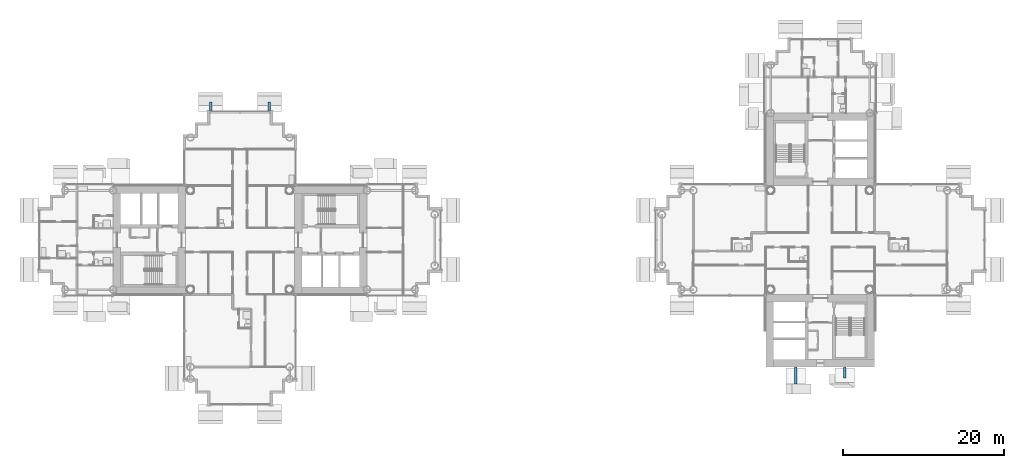
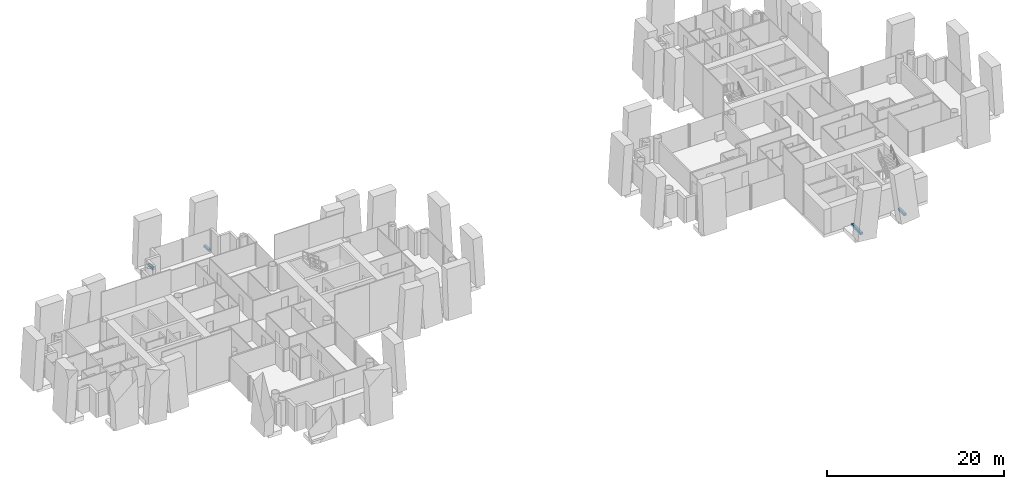
# One storey, part 14 of 21: 4 discrete accessories.
"""IFC4 building model written with IfcOpenShell, lengths in metres."""

import ifcopenshell
import ifcopenshell.guid

model = None  # the IFC model being written
_history = None  # IfcOwnerHistory: only IFC2X3 demands one
_inside = {}  # id of a spatial element -> (the spatial element, [elements in it])
_under = {}  # id of a project, library or spatial element -> (it, [spatial elements below it])
_declared = {}  # id of a project -> (the project, [libraries it declares])
_typed = {}  # id of a type object -> (the type object, [elements of that type])
_made_of = {}  # id of a material, layer set ... -> (it, [elements and type objects made of it])


def new_model(schema):
    """Start an empty IFC model of exactly this schema.

    Asked for "IFC4X3", IfcOpenShell would pick the latest addendum, in which some entities
    have other attributes; the version numbers below select the first issue.
    IFC2X3 requires an IfcOwnerHistory on every rooted entity: one is made here for all.
    """
    global model, _history
    if schema == "IFC4X3":
        model = ifcopenshell.file(schema_version=(4, 3, 0, 0))
    else:
        model = ifcopenshell.file(schema=schema)
    _inside.clear()
    _under.clear()
    _declared.clear()
    _typed.clear()
    _made_of.clear()
    _history = None
    if model.schema == "IFC2X3":
        org = make("IfcOrganization", Name="unknown")
        user = make(
            "IfcPersonAndOrganization",
            ThePerson=make("IfcPerson", FamilyName="unknown"),
            TheOrganization=org,
        )
        app = make(
            "IfcApplication",
            ApplicationDeveloper=org,
            Version="unknown",
            ApplicationFullName="unknown",
            ApplicationIdentifier="unknown",
        )
        _history = make(
            "IfcOwnerHistory",
            OwningUser=user,
            OwningApplication=app,
            ChangeAction="ADDED",
            CreationDate=0,
        )
    return model


def make(cls, **values):
    """One entity of the class cls with the attributes given. An attribute that is None is left unset."""
    return model.create_entity(
        cls, **{name: value for name, value in values.items() if value is not None}
    )


def rooted(cls, **values):
    """An entity with a GlobalId (a new one), such as an element, a storey or a relation."""
    return make(cls, GlobalId=ifcopenshell.guid.new(), OwnerHistory=_history, **values)


def si_unit(unit_type, name, prefix=None):
    """IfcSIUnit, for example si_unit("LENGTHUNIT", "METRE", prefix="MILLI")."""
    return make("IfcSIUnit", UnitType=unit_type, Prefix=prefix, Name=name)


def assignment(units):
    """IfcUnitAssignment: the units of a project."""
    return None if units is None else make("IfcUnitAssignment", Units=units)


def point(xyz):
    """IfcCartesianPoint."""
    return None if xyz is None else make("IfcCartesianPoint", Coordinates=xyz)


def direction(xyz):
    """IfcDirection."""
    return None if xyz is None else make("IfcDirection", DirectionRatios=xyz)


def frame(location, z_axis=None, x_axis=None):
    """IfcAxis2Placement3D, a coordinate frame: its origin and axes. An axis left out is left unset."""
    return make(
        "IfcAxis2Placement3D",
        Location=point(location),
        Axis=direction(z_axis),
        RefDirection=direction(x_axis),
    )


def frame_2d(location, x_axis=None):
    """IfcAxis2Placement2D, a coordinate frame in the plane: its origin and x axis."""
    return make(
        "IfcAxis2Placement2D", Location=point(location), RefDirection=direction(x_axis)
    )


def origin():
    """The frame at (0, 0, 0) with its axes left unset."""
    return frame((0.0, 0.0, 0.0))


def origin_2d():
    """The frame at (0, 0) in the plane with its x axis left unset."""
    return frame_2d((0.0, 0.0))


def place(relative_to, where):
    """IfcLocalPlacement: puts the frame where relative to a parent placement (None: the world)."""
    return make(
        "IfcLocalPlacement", PlacementRelTo=relative_to, RelativePlacement=where
    )


def context(
    kind, dimensions, precision=None, world=None, true_north=None, identifier=None
):
    """IfcGeometricRepresentationContext, for example the 3D "Model" context."""
    return make(
        "IfcGeometricRepresentationContext",
        ContextIdentifier=identifier,
        ContextType=kind,
        CoordinateSpaceDimension=dimensions,
        Precision=precision,
        WorldCoordinateSystem=world,
        TrueNorth=true_north,
    )


def subcontext(parent, identifier, kind, view, scale=None):
    """IfcGeometricRepresentationSubContext, for example "Body" below "Model"."""
    return make(
        "IfcGeometricRepresentationSubContext",
        ContextIdentifier=identifier,
        ContextType=kind,
        ParentContext=parent,
        TargetScale=scale,
        TargetView=view,
    )


def project(units=None, contexts=None):
    """IfcProject with its units and contexts."""
    return rooted(
        "IfcProject",
        Name="project",
        RepresentationContexts=contexts,
        UnitsInContext=assignment(units),
    )


def spatial(cls, under=None, at=None, **own):
    """A site, building, storey or space (cls), placed at a placement, below another one or the project."""
    s = rooted(cls, ObjectPlacement=at, **own)
    if under is not None:
        _under.setdefault(under.id(), (under, []))[1].append(s)
    return s


def profile(cls, at=None, kind="AREA", **sizes):
    """A parametric profile (cls). Its sizes go by their IFC names, for example OverallWidth=200.0."""
    return make(cls, ProfileType=kind, Position=at, **sizes)


def rectangle(**sizes):
    """IfcRectangleProfileDef."""
    return profile("IfcRectangleProfileDef", **sizes)


def extrude(swept, where, along, depth):
    """IfcExtrudedAreaSolid: the profile swept, set in the frame where, extruded along a direction by depth."""
    return make(
        "IfcExtrudedAreaSolid",
        SweptArea=swept,
        Position=where,
        ExtrudedDirection=direction(along),
        Depth=depth,
    )


def shape(context_of_items, identifier, shape_type, items):
    """IfcShapeRepresentation: the items that make up one representation, for example the "Body"."""
    return make(
        "IfcShapeRepresentation",
        ContextOfItems=context_of_items,
        RepresentationIdentifier=identifier,
        RepresentationType=shape_type,
        Items=items,
    )


def material(Name=None, Category=None):
    """IfcMaterial."""
    return make("IfcMaterial", Name=Name, Category=Category)


def made_of(thing, what):
    """Note that an element or type object is made of a material, layer set ...; save() writes the relation."""
    if what is not None:
        _made_of.setdefault(what.id(), (what, []))[1].append(thing)
    return thing


def type_object(cls, material=None, **own):
    """A type object (cls), such as IfcWallType, which elements share."""
    return made_of(rooted(cls, **own), material)


def element(
    cls,
    number,
    at=None,
    inside=None,
    cuts=None,
    type_object=None,
    material=None,
    context=None,
    identifier="Body",
    shape_type=None,
    held_by="IfcProductDefinitionShape",
    body=None,
    shapes=None,
    **own,
):
    """One element of the class cls, such as IfcWall. Its Tag is "e" and its number.

    at: its placement. inside: the storey or other place that contains it. cuts: it is an
    opening in that element (IfcRelVoidsElement). A single representation is given by context,
    identifier, shape_type and body (its items); several are given by shapes. held_by: the class
    of the entity that holds the representations. save() writes the other relations.
    """
    e = rooted(cls, Tag="e%d" % number, ObjectPlacement=at, **own)
    if body is not None:
        shapes = [shape(context, identifier, shape_type, body)]
    if shapes is not None:
        e.Representation = make(held_by, Representations=shapes)
    if inside is not None:
        _inside.setdefault(inside.id(), (inside, []))[1].append(e)
    if cuts is not None:
        rooted(
            "IfcRelVoidsElement", RelatingBuildingElement=cuts, RelatedOpeningElement=e
        )
    if type_object is not None:
        _typed.setdefault(type_object.id(), (type_object, []))[1].append(e)
    return made_of(e, material)


def aggregate(whole, parts):
    """IfcRelAggregates: a whole, such as a stair, and the parts it consists of."""
    return rooted("IfcRelAggregates", RelatingObject=whole, RelatedObjects=parts)


def save(model, path):
    """Write the relations noted so far, then the file.

    IfcRelAggregates (storeys below a building ...), IfcRelContainedInSpatialStructure (elements
    in a storey), IfcRelDefinesByType, IfcRelAssociatesMaterial and IfcRelDeclares: one each for
    every whole, place, type object, material and project.
    """
    for whole, parts in _under.values():
        aggregate(whole, parts)
    for where, things in _inside.values():
        rooted(
            "IfcRelContainedInSpatialStructure",
            RelatedElements=things,
            RelatingStructure=where,
        )
    for kind, things in _typed.values():
        rooted("IfcRelDefinesByType", RelatedObjects=things, RelatingType=kind)
    for what, things in _made_of.values():
        rooted("IfcRelAssociatesMaterial", RelatedObjects=things, RelatingMaterial=what)
    for by, libraries in _declared.values():
        rooted("IfcRelDeclares", RelatingContext=by, RelatedDefinitions=libraries)
    model.write(path)


model = new_model("IFC4")

# Units and contexts
model_context = context("Model", 3, precision=1e-05, world=origin(), true_north=direction((0.0, 1.0)))
body_context = subcontext(model_context, "Body", "Model", "MODEL_VIEW")
ifc_project = project(units=[si_unit("LENGTHUNIT", "METRE"), si_unit("AREAUNIT", "SQUARE_METRE"), si_unit("VOLUMEUNIT", "CUBIC_METRE"), si_unit("PLANEANGLEUNIT", "RADIAN"), si_unit("MASSUNIT", "GRAM", prefix="KILO")], contexts=[model_context])

# Site, building, storey
site_placement = place(None, origin())
site = spatial("IfcSite", under=ifc_project, at=site_placement, CompositionType="ELEMENT")
building_placement = place(site_placement, origin())
building = spatial("IfcBuilding", under=site, at=building_placement, Name="Ipe Terrace Towers", CompositionType="ELEMENT")
storey_placement = place(building_placement, frame((0.0, 0.0, 80.0)))
storey = spatial("IfcBuildingStorey", under=building, at=storey_placement, Name="L21", CompositionType="ELEMENT", Elevation=80.0)

# Discrete accessories
ifc_material = material(Name="Stainless steel S316", Category="steel")
discrete_accessory_type = type_object("IfcDiscreteAccessoryType", Name="STONE FIN BRACKET", PredefinedType="BRACKET", material=ifc_material)
for number, where, z_axis, x_axis, name in (
    (1, (-32.35009765625, 16.5859375, 0.0), (0.0, 0.0, 1.0), (-1.0, 0.0, 0.0), "stone fin bracket"),
    (2, (-39.64990234375, 16.5859375, 0.0), (0.0, 0.0, 1.0), (-1.0, 0.0, 0.0), "stone fin bracket"),
):
    element("IfcDiscreteAccessory", number, at=place(storey_placement, frame(where, z_axis=z_axis, x_axis=x_axis)), inside=storey, type_object=discrete_accessory_type, Name=name, PredefinedType="BRACKET", context=body_context, shape_type="SweptSolid", body=[
        extrude(rectangle(XDim=0.300048828125, YDim=1.0322265625, at=origin_2d()), origin(), (0.0, 0.0, 1.0), 0.300048828125),
    ])
discrete_accessory_1_placement = place(storey_placement, frame((39.053955078125, -16.426025390625, 0.0), z_axis=(0.0, 0.0, 1.0), x_axis=(1.0, 0.0, 0.0)))
element("IfcDiscreteAccessory", 3, at=discrete_accessory_1_placement, inside=storey, type_object=discrete_accessory_type, Name="stone fin bracket", PredefinedType="BRACKET", context=body_context, shape_type="SweptSolid", body=[
    extrude(rectangle(XDim=0.300048828125, YDim=1.352294921875, at=origin_2d()), origin(), (0.0, 0.0, 1.0), 0.300048828125),
])
discrete_accessory_2_placement = place(storey_placement, frame((32.946044921875, -16.81298828125, 0.0), z_axis=(0.0, 0.0, 1.0), x_axis=(1.0, 0.0, 0.0)))
element("IfcDiscreteAccessory", 4, at=discrete_accessory_2_placement, inside=storey, type_object=discrete_accessory_type, Name="stone fin bracket", PredefinedType="BRACKET", context=body_context, shape_type="SweptSolid", body=[
    extrude(rectangle(XDim=0.300048828125, YDim=2.125244140625, at=origin_2d()), origin(), (0.0, 0.0, 1.0), 0.300048828125),
])

save(model, "model.ifc")
